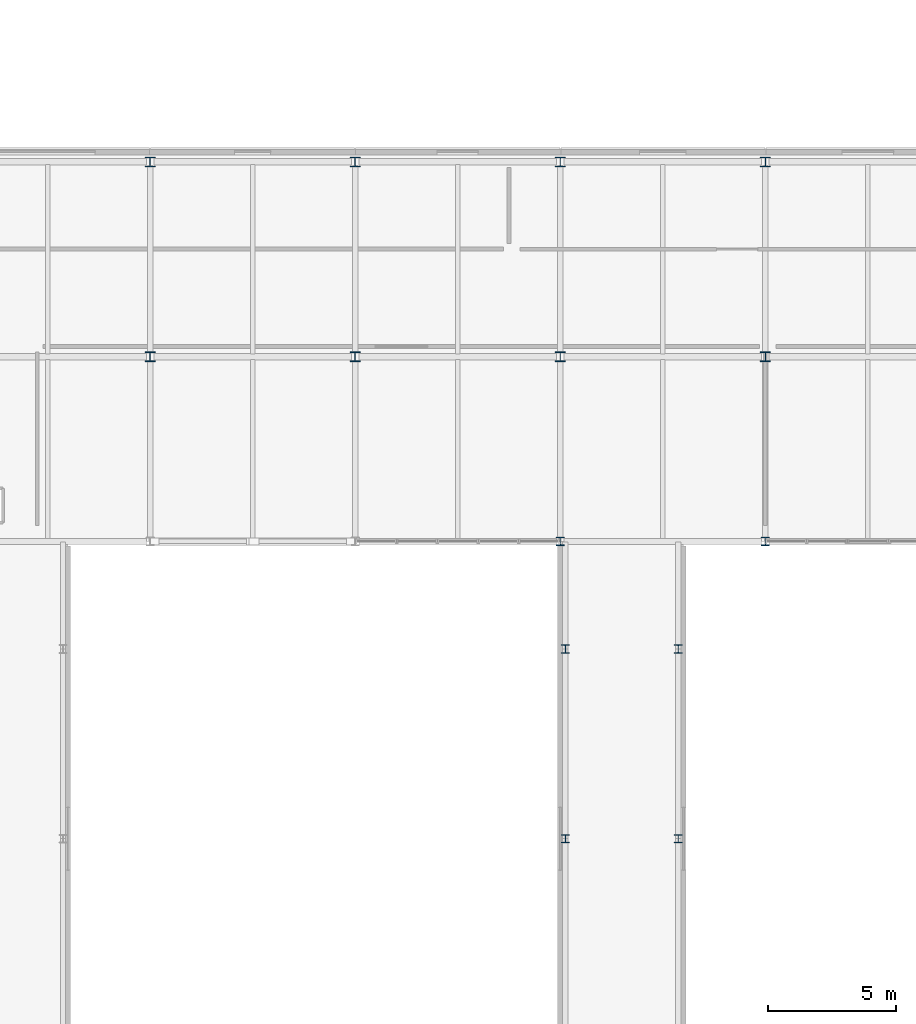
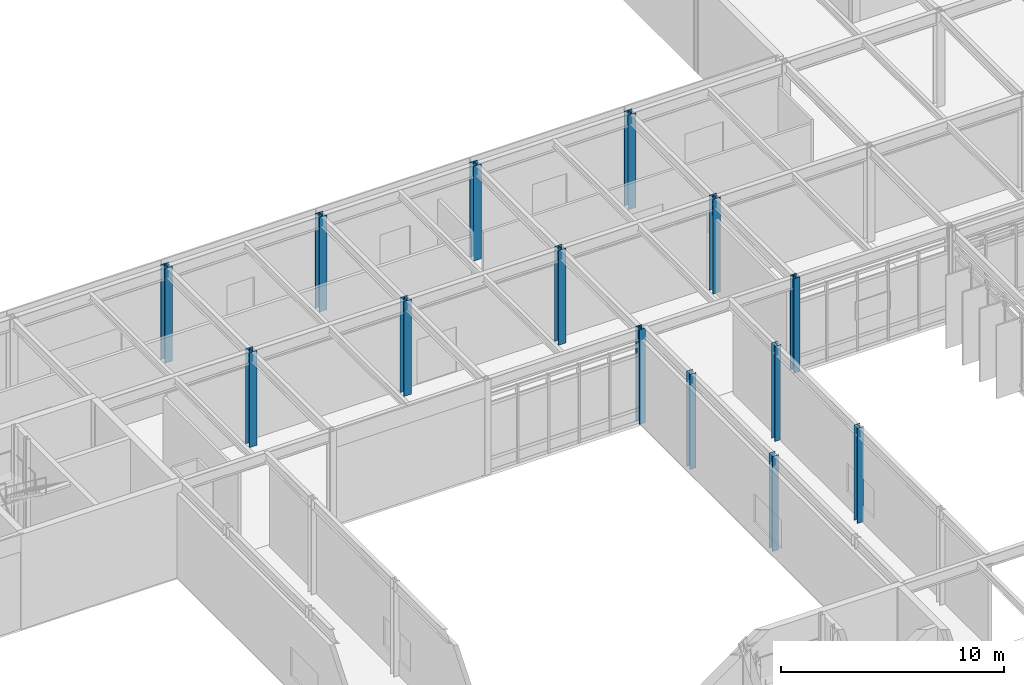
# One storey, part 7 of 94: 14 columns.
"""IFC4 building model written with IfcOpenShell, lengths in metres."""

from ifc_helpers import new_model, si_unit, direction, frame, origin, origin_2d, place, context, subcontext, project, spatial, i_section, extrude, material, material_profile, profile_set, type_object, element, save


model = new_model("IFC4")

# Units and contexts
model_context = context("Model", 3, precision=1e-05, world=origin(), true_north=direction((0.0, 1.0)))
body_context = subcontext(model_context, "Body", "Model", "MODEL_VIEW")
ifc_project = project(units=[si_unit("LENGTHUNIT", "METRE"), si_unit("AREAUNIT", "SQUARE_METRE"), si_unit("VOLUMEUNIT", "CUBIC_METRE"), si_unit("PLANEANGLEUNIT", "RADIAN"), si_unit("MASSUNIT", "GRAM", prefix="KILO")], contexts=[model_context])

# Site, building, storey
site_placement = place(None, origin())
site = spatial("IfcSite", under=ifc_project, at=site_placement, CompositionType="ELEMENT")
building_placement = place(site_placement, origin())
building = spatial("IfcBuilding", under=site, at=building_placement, Name="Zulena Civic Courthouse", CompositionType="ELEMENT")
storey_placement = place(building_placement, frame((0.0, 0.0, 5.39990234375)))
storey = spatial("IfcBuildingStorey", under=building, at=storey_placement, Name="L01", CompositionType="ELEMENT", Elevation=5.39990234375)

# Columns
ifc_material = material(Name="Steel ASTM A992 Grade 50", Category="steel")
ifc_material_profile_1 = material_profile(ifc_material, i_section(OverallWidth=0.31298828125, OverallDepth=0.3330078125, WebThickness=0.01806640625, FlangeThickness=0.0283203125, FilletRadius=0.01513671875, at=origin_2d()), Name="W12X120")
ifc_profile_set_1 = profile_set([ifc_material_profile_1], Name="Steel ASTM A992 Grade 50")
column_type_1 = type_object("IfcColumnType", Name="Col_W12X120", PredefinedType="COLUMN", material=ifc_profile_set_1)
for number, where, z_axis, x_axis, name in (
    (1, (52.0, 46.0, 0.0), (0.0, 0.0, 1.0), (1.0, 0.0, 0.0), "col:V5:L01:52.0:46.0"),
    (2, (60.0, 46.0, 0.0), (0.0, 0.0, 1.0), (1.0, 0.0, 0.0), "col:V5:L01:60.0:46.0"),
):
    element("IfcColumn", number, at=place(storey_placement, frame(where, z_axis=z_axis, x_axis=x_axis)), inside=storey, type_object=column_type_1, Name=name, PredefinedType="COLUMN", context=body_context, shape_type="SweptSolid", body=[
        extrude(i_section(OverallWidth=0.31298828125, OverallDepth=0.3330078125, WebThickness=0.01806640625, FlangeThickness=0.0283203125, FilletRadius=0.01513671875, at=origin_2d()), origin(), (0.0, 0.0, 1.0), 5.18505859375),
    ])
ifc_material_profile_2 = material_profile(ifc_material, i_section(OverallWidth=0.30908203125, OverallDepth=0.322998046875, WebThickness=0.013916015625, FlangeThickness=0.02294921875, FilletRadius=0.01513671875, at=origin_2d()), Name="W12X96")
ifc_profile_set_2 = profile_set([ifc_material_profile_2], Name="Steel ASTM A992 Grade 50")
column_type_2 = type_object("IfcColumnType", Name="Col_W12X96", PredefinedType="COLUMN", material=ifc_profile_set_2)
for number, where, z_axis, x_axis, name in (
    (3, (52.199951171875, 34.39990234375, 0.0), (0.0, 0.0, 1.0), (1.0, 0.0, 0.0), "col:bridge:BR-52C:L01:52.20:34.40"),
    (4, (52.199951171875, 41.800048828125, 0.0), (0.0, 0.0, 1.0), (1.0, 0.0, 0.0), "col:bridge:BR-52C:L01:52.20:41.80"),
    (5, (56.60009765625, 34.39990234375, 0.0), (0.0, 0.0, 1.0), (1.0, 0.0, 0.0), "col:bridge:BR-52C:L01:56.60:34.40"),
    (6, (56.60009765625, 41.800048828125, 0.0), (0.0, 0.0, 1.0), (1.0, 0.0, 0.0), "col:bridge:BR-52C:L01:56.60:41.80"),
):
    element("IfcColumn", number, at=place(storey_placement, frame(where, z_axis=z_axis, x_axis=x_axis)), inside=storey, type_object=column_type_2, Name=name, PredefinedType="COLUMN", context=body_context, shape_type="SweptSolid", body=[
        extrude(i_section(OverallWidth=0.30908203125, OverallDepth=0.322998046875, WebThickness=0.013916015625, FlangeThickness=0.02294921875, FilletRadius=0.01513671875, at=origin_2d()), origin(), (0.0, 0.0, 1.0), 5.205078125),
    ])
ifc_material_profile_3 = material_profile(ifc_material, i_section(OverallWidth=0.39404296875, OverallDepth=0.3759765625, WebThickness=0.017333984375, FlangeThickness=0.027587890625, FilletRadius=0.01513671875, at=origin_2d()), Name="W14X145")
ifc_profile_set_3 = profile_set([ifc_material_profile_3], Name="Steel ASTM A992 Grade 50")
column_type_3 = type_object("IfcColumnType", Name="Col_W14X145", PredefinedType="COLUMN", material=ifc_profile_set_3)
for number, where, z_axis, x_axis, name in (
    (7, (36.0, 53.199951171875, 0.0), (0.0, 0.0, 1.0), (1.0, 0.0, 0.0), "col:V5:L01:36.0:53.2"),
    (8, (36.0, 60.800048828125, 0.0), (0.0, 0.0, 1.0), (1.0, 0.0, 0.0), "col:V5:L01:36.0:60.8"),
    (9, (44.0, 53.199951171875, 0.0), (0.0, 0.0, 1.0), (1.0, 0.0, 0.0), "col:V5:L01:44.0:53.2"),
    (10, (44.0, 60.800048828125, 0.0), (0.0, 0.0, 1.0), (1.0, 0.0, 0.0), "col:V5:L01:44.0:60.8"),
    (11, (52.0, 53.199951171875, 0.0), (0.0, 0.0, 1.0), (1.0, 0.0, 0.0), "col:V5:L01:52.0:53.2"),
    (12, (52.0, 60.800048828125, 0.0), (0.0, 0.0, 1.0), (1.0, 0.0, 0.0), "col:V5:L01:52.0:60.8"),
    (13, (60.0, 53.199951171875, 0.0), (0.0, 0.0, 1.0), (1.0, 0.0, 0.0), "col:V5:L01:60.0:53.2"),
    (14, (60.0, 60.800048828125, 0.0), (0.0, 0.0, 1.0), (1.0, 0.0, 0.0), "col:V5:L01:60.0:60.8"),
):
    element("IfcColumn", number, at=place(storey_placement, frame(where, z_axis=z_axis, x_axis=x_axis)), inside=storey, type_object=column_type_3, Name=name, PredefinedType="COLUMN", context=body_context, shape_type="SweptSolid", body=[
        extrude(i_section(OverallWidth=0.39404296875, OverallDepth=0.3759765625, WebThickness=0.017333984375, FlangeThickness=0.027587890625, FilletRadius=0.01513671875, at=origin_2d()), origin(), (0.0, 0.0, 1.0), 5.18505859375),
    ])

save(model, "model.ifc")
